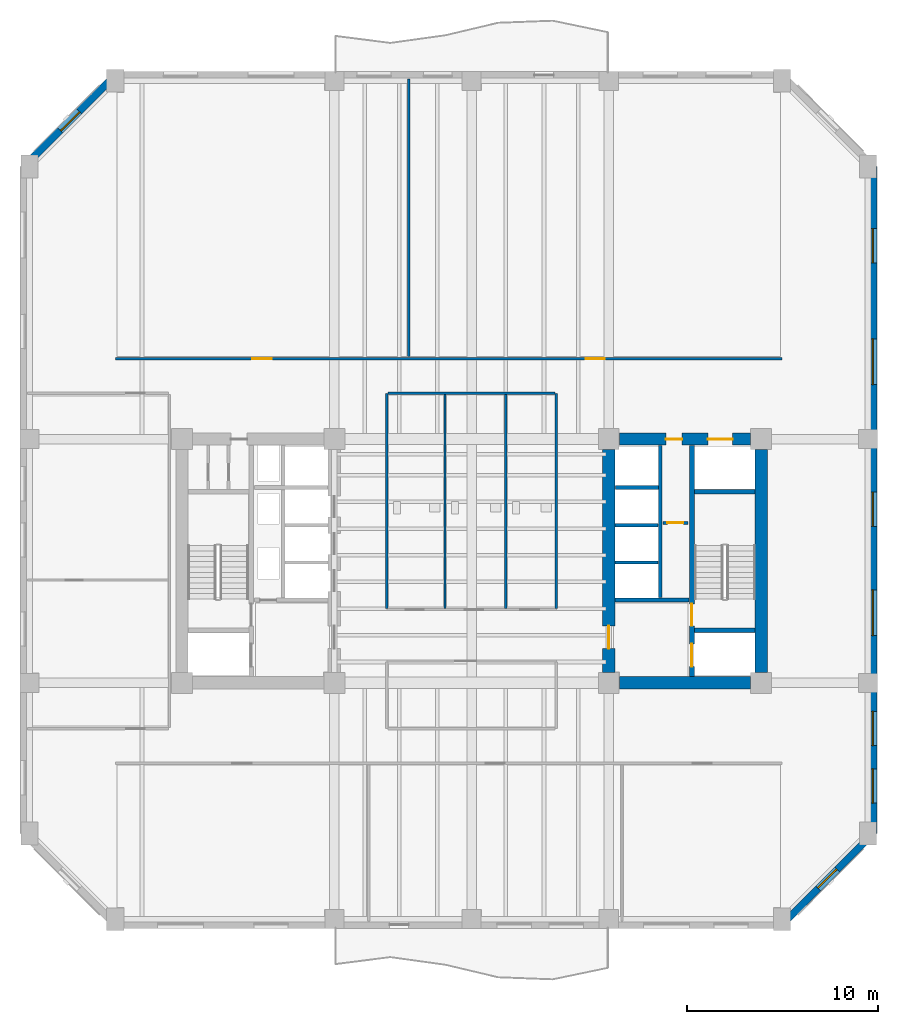
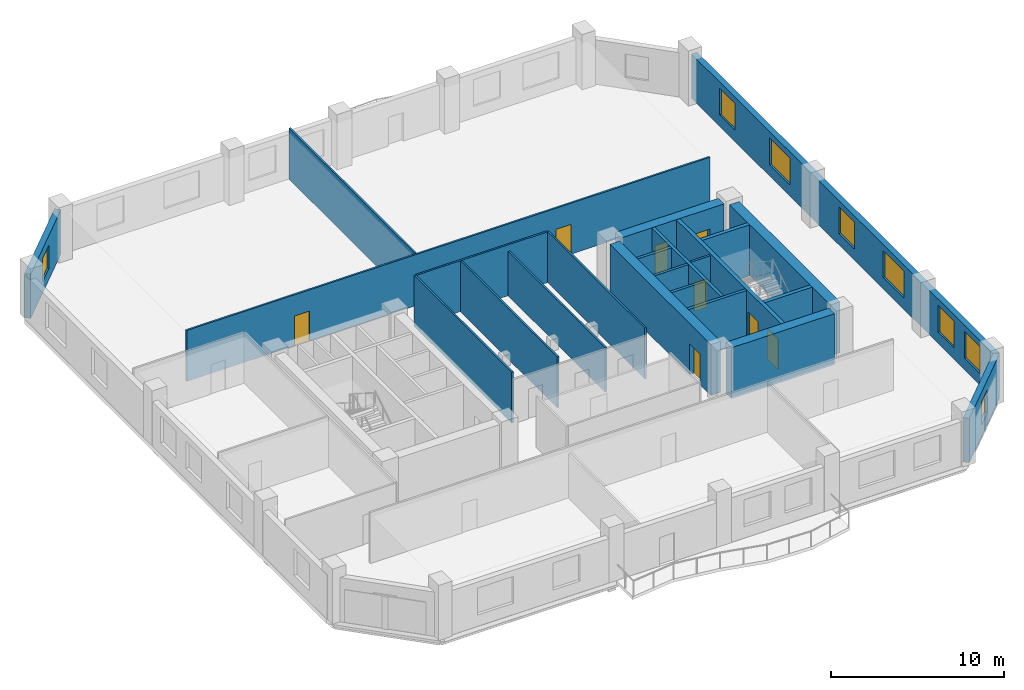
# One storey, part 4 of 10: 23 walls, 8 doors, 8 windows, 16 openings.
"""IFC4 building model written with IfcOpenShell, lengths in metres."""

from ifc_helpers import new_model, si_unit, direction, frame, frame_2d, origin, place, context, subcontext, project, spatial, rectangle, extrude, material, layer, layer_set, type_object, element, fill, save


model = new_model("IFC4")

# Units and contexts
model_context = context("Model", 3, precision=1e-05, world=origin(), true_north=direction((0.0, 1.0)))
body_context = subcontext(model_context, "Body", "Model", "MODEL_VIEW")
ifc_project = project(units=[si_unit("LENGTHUNIT", "METRE"), si_unit("AREAUNIT", "SQUARE_METRE"), si_unit("VOLUMEUNIT", "CUBIC_METRE"), si_unit("PLANEANGLEUNIT", "RADIAN"), si_unit("MASSUNIT", "GRAM", prefix="KILO")], contexts=[model_context])

# Site, building, storey
site_placement = place(None, origin())
site = spatial("IfcSite", under=ifc_project, at=site_placement, CompositionType="ELEMENT")
building_placement = place(site_placement, origin())
building = spatial("IfcBuilding", under=site, at=building_placement, Name="Kranthara Brick Stack", CompositionType="ELEMENT")
storey_placement = place(building_placement, frame((0.0, 0.0, 102.300048828125)))
storey = spatial("IfcBuildingStorey", under=building, at=storey_placement, Name="L25", CompositionType="ELEMENT", Elevation=102.300048828125)

# Wall, opening, window
ifc_material_1 = material(Name="Kiln-fired clay brick masonry M15", Category="masonry")
ifc_layer_1 = layer(ifc_material_1, 0.3798828125)
ifc_layer_set_1 = layer_set([ifc_layer_1], Name="Kiln-fired clay brick masonry M15")
wall_type_1 = type_object("IfcWallType", Name="WL-BRK-PIER-380", PredefinedType="STANDARD", material=ifc_layer_set_1)
wall_1_placement = place(storey_placement, frame((4.510009765625, 47.89990234375, 0.0), z_axis=(0.0, 0.0, 1.0), x_axis=(0.707106781187, 0.707106781187, 0.0)))
wall_1 = element("IfcWall", 1, at=wall_1_placement, inside=storey, type_object=wall_type_1, Name="L25 Exterior Brick Facade Wall NW 1", PredefinedType="STANDARD", context=body_context, shape_type="SweptSolid", body=[
    extrude(rectangle(XDim=6.774169921875, YDim=0.3798828125, at=frame_2d((3.38720703125, 0.0))), origin(), (0.0, 0.0, 1.0), 3.135009765625),
])
opening_1_placement = place(wall_1_placement, frame((2.68701171875, 0.0, 0.800048828125)))
opening_1 = element("IfcOpeningElement", 2, at=opening_1_placement, cuts=wall_1, Name="Opening WN10", PredefinedType="OPENING", context=body_context, shape_type="SweptSolid", body=[
    extrude(rectangle(XDim=1.39990234375, YDim=1.64990234375, at=frame_2d((0.699951171875, 0.824951171875))), frame((0.0, 0.199951171875, 0.0), z_axis=(0.0, -1.0, 0.0), x_axis=(1.0, 0.0, 0.0)), (0.0, 0.0, 1.0), 0.39990234375),
])
ifc_material_2 = material(Name="Double-glazed low-E solar control glass", Category="glass")
window_type_1 = type_object("IfcWindowType", Name="WN-CHM-1400x1750", PartitioningType="SINGLE_PANEL", PredefinedType="WINDOW", material=ifc_material_2)
window_1_placement = place(opening_1_placement, origin())
window_1 = element("IfcWindow", 3, at=window_1_placement, inside=storey, type_object=window_type_1, Name="L25 NW Chamfer Corner Window", OverallHeight=1.64990234375, OverallWidth=1.39990234375, PartitioningType="SINGLE_PANEL", PredefinedType="WINDOW", context=body_context, shape_type="SweptSolid", body=[
    extrude(rectangle(XDim=1.39990234375, YDim=1.64990234375, at=frame_2d((0.699951171875, 0.824951171875))), frame((0.0, -0.010009765625, 0.0), z_axis=(0.0, -1.0, 0.0), x_axis=(1.0, 0.0, 0.0)), (0.0, 0.0, 1.0), 0.06005859375),
])
fill(opening_1, window_1)

# Wall, openings, windows
wall_2_placement = place(storey_placement, frame((49.090087890625, 47.89990234375, 0.0), z_axis=(0.0, 0.0, 1.0), x_axis=(0.0, -1.0, 0.0)))
wall_2 = element("IfcWall", 4, at=wall_2_placement, inside=storey, type_object=wall_type_1, Name="L25 Exterior Brick Facade Wall EAST 1", PredefinedType="STANDARD", context=body_context, shape_type="SweptSolid", body=[
    extrude(rectangle(XDim=35.0, YDim=0.3798828125, at=frame_2d((17.5, 0.0))), origin(), (0.0, 0.0, 1.0), 3.135009765625),
])
opening_2_placement = place(wall_2_placement, frame((3.251953125, 0.0, 0.800048828125)))
opening_2 = element("IfcOpeningElement", 5, at=opening_2_placement, cuts=wall_2, Name="Opening WN01", PredefinedType="OPENING", context=body_context, shape_type="SweptSolid", body=[
    extrude(rectangle(XDim=1.800048828125, YDim=1.89990234375, at=frame_2d((0.89990234375, 0.949951171875))), frame((0.0, 0.199951171875, 0.0), z_axis=(0.0, -1.0, 0.0), x_axis=(1.0, 0.0, 0.0)), (0.0, 0.0, 1.0), 0.39990234375),
])
opening_3_placement = place(wall_2_placement, frame((9.048095703125, 0.0, 0.800048828125)))
opening_3 = element("IfcOpeningElement", 6, at=opening_3_placement, cuts=wall_2, Name="Opening WN02", PredefinedType="OPENING", context=body_context, shape_type="SweptSolid", body=[
    extrude(rectangle(XDim=2.39990234375, YDim=1.89990234375, at=frame_2d((1.199951171875, 0.949951171875))), frame((0.0, 0.199951171875, 0.0), z_axis=(0.0, -1.0, 0.0), x_axis=(1.0, 0.0, 0.0)), (0.0, 0.0, 1.0), 0.39990234375),
])
opening_4_placement = place(wall_2_placement, frame((17.087890625, 0.0, 0.800048828125)))
opening_4 = element("IfcOpeningElement", 7, at=opening_4_placement, cuts=wall_2, Name="Opening WN01", PredefinedType="OPENING", context=body_context, shape_type="SweptSolid", body=[
    extrude(rectangle(XDim=1.800048828125, YDim=1.89990234375, at=frame_2d((0.89990234375, 0.949951171875))), frame((0.0, 0.199951171875, 0.0), z_axis=(0.0, -1.0, 0.0), x_axis=(1.0, 0.0, 0.0)), (0.0, 0.0, 1.0), 0.39990234375),
])
opening_5_placement = place(wall_2_placement, frame((22.2119140625, 0.0, 0.800048828125)))
opening_5 = element("IfcOpeningElement", 8, at=opening_5_placement, cuts=wall_2, Name="Opening WN02", PredefinedType="OPENING", context=body_context, shape_type="SweptSolid", body=[
    extrude(rectangle(XDim=2.39990234375, YDim=1.89990234375, at=frame_2d((1.199951171875, 0.949951171875))), frame((0.0, 0.199951171875, 0.0), z_axis=(0.0, -1.0, 0.0), x_axis=(1.0, 0.0, 0.0)), (0.0, 0.0, 1.0), 0.39990234375),
])
opening_6_placement = place(wall_2_placement, frame((28.587890625, 0.0, 0.800048828125)))
opening_6 = element("IfcOpeningElement", 9, at=opening_6_placement, cuts=wall_2, Name="Opening WN01", PredefinedType="OPENING", context=body_context, shape_type="SweptSolid", body=[
    extrude(rectangle(XDim=1.800048828125, YDim=1.89990234375, at=frame_2d((0.89990234375, 0.949951171875))), frame((0.0, 0.199951171875, 0.0), z_axis=(0.0, -1.0, 0.0), x_axis=(1.0, 0.0, 0.0)), (0.0, 0.0, 1.0), 0.39990234375),
])
opening_7_placement = place(wall_2_placement, frame((31.612060546875, 0.0, 0.800048828125)))
opening_7 = element("IfcOpeningElement", 10, at=opening_7_placement, cuts=wall_2, Name="Opening WN01", PredefinedType="OPENING", context=body_context, shape_type="SweptSolid", body=[
    extrude(rectangle(XDim=1.800048828125, YDim=1.89990234375, at=frame_2d((0.89990234375, 0.949951171875))), frame((0.0, 0.199951171875, 0.0), z_axis=(0.0, -1.0, 0.0), x_axis=(1.0, 0.0, 0.0)), (0.0, 0.0, 1.0), 0.39990234375),
])
ifc_material_3 = material(Name="Double-glazed low-E solar control glass", Category="glass")
window_type_2 = type_object("IfcWindowType", Name="WN-OFF-1800x2000", PartitioningType="SINGLE_PANEL", PredefinedType="WINDOW", material=ifc_material_3)
window_2_placement = place(opening_2_placement, origin())
window_2 = element("IfcWindow", 11, at=window_2_placement, inside=storey, type_object=window_type_2, Name="L25 East Deep-Set Brick Window 01", OverallHeight=1.89990234375, OverallWidth=1.800048828125, PartitioningType="SINGLE_PANEL", PredefinedType="WINDOW", context=body_context, shape_type="SweptSolid", body=[
    extrude(rectangle(XDim=1.800048828125, YDim=1.89990234375, at=frame_2d((0.89990234375, 0.949951171875))), frame((0.0, -0.010009765625, 0.0), z_axis=(0.0, -1.0, 0.0), x_axis=(1.0, 0.0, 0.0)), (0.0, 0.0, 1.0), 0.06005859375),
])
fill(opening_2, window_2)
window_3_placement = place(opening_4_placement, origin())
window_3 = element("IfcWindow", 12, at=window_3_placement, inside=storey, type_object=window_type_2, Name="L25 East Deep-Set Brick Window 03", OverallHeight=1.89990234375, OverallWidth=1.800048828125, PartitioningType="SINGLE_PANEL", PredefinedType="WINDOW", context=body_context, shape_type="SweptSolid", body=[
    extrude(rectangle(XDim=1.800048828125, YDim=1.89990234375, at=frame_2d((0.89990234375, 0.949951171875))), frame((0.0, -0.010009765625, 0.0), z_axis=(0.0, -1.0, 0.0), x_axis=(1.0, 0.0, 0.0)), (0.0, 0.0, 1.0), 0.06005859375),
])
fill(opening_4, window_3)
window_4_placement = place(opening_6_placement, origin())
window_4 = element("IfcWindow", 13, at=window_4_placement, inside=storey, type_object=window_type_2, Name="L25 East Deep-Set Brick Window 05", OverallHeight=1.89990234375, OverallWidth=1.800048828125, PartitioningType="SINGLE_PANEL", PredefinedType="WINDOW", context=body_context, shape_type="SweptSolid", body=[
    extrude(rectangle(XDim=1.800048828125, YDim=1.89990234375, at=frame_2d((0.89990234375, 0.949951171875))), frame((0.0, -0.010009765625, 0.0), z_axis=(0.0, -1.0, 0.0), x_axis=(1.0, 0.0, 0.0)), (0.0, 0.0, 1.0), 0.06005859375),
])
fill(opening_6, window_4)
window_5_placement = place(opening_7_placement, origin())
window_5 = element("IfcWindow", 14, at=window_5_placement, inside=storey, type_object=window_type_2, Name="L25 East Deep-Set Brick Window 06", OverallHeight=1.89990234375, OverallWidth=1.800048828125, PartitioningType="SINGLE_PANEL", PredefinedType="WINDOW", context=body_context, shape_type="SweptSolid", body=[
    extrude(rectangle(XDim=1.800048828125, YDim=1.89990234375, at=frame_2d((0.89990234375, 0.949951171875))), frame((0.0, -0.010009765625, 0.0), z_axis=(0.0, -1.0, 0.0), x_axis=(1.0, 0.0, 0.0)), (0.0, 0.0, 1.0), 0.06005859375),
])
fill(opening_7, window_5)
ifc_material_4 = material(Name="Double-glazed low-E solar control glass", Category="glass")
window_type_3 = type_object("IfcWindowType", Name="WN-OFF-2400x2000", PartitioningType="DOUBLE_PANEL_VERTICAL", PredefinedType="WINDOW", material=ifc_material_4)
window_6_placement = place(opening_3_placement, origin())
window_6 = element("IfcWindow", 15, at=window_6_placement, inside=storey, type_object=window_type_3, Name="L25 East Deep-Set Brick Window 02", OverallHeight=1.89990234375, OverallWidth=2.39990234375, PartitioningType="SINGLE_PANEL", PredefinedType="WINDOW", context=body_context, shape_type="SweptSolid", body=[
    extrude(rectangle(XDim=2.39990234375, YDim=1.89990234375, at=frame_2d((1.199951171875, 0.949951171875))), frame((0.0, -0.010009765625, 0.0), z_axis=(0.0, -1.0, 0.0), x_axis=(1.0, 0.0, 0.0)), (0.0, 0.0, 1.0), 0.06005859375),
])
fill(opening_3, window_6)
window_7_placement = place(opening_5_placement, origin())
window_7 = element("IfcWindow", 16, at=window_7_placement, inside=storey, type_object=window_type_3, Name="L25 East Deep-Set Brick Window 04", OverallHeight=1.89990234375, OverallWidth=2.39990234375, PartitioningType="SINGLE_PANEL", PredefinedType="WINDOW", context=body_context, shape_type="SweptSolid", body=[
    extrude(rectangle(XDim=2.39990234375, YDim=1.89990234375, at=frame_2d((1.199951171875, 0.949951171875))), frame((0.0, -0.010009765625, 0.0), z_axis=(0.0, -1.0, 0.0), x_axis=(1.0, 0.0, 0.0)), (0.0, 0.0, 1.0), 0.06005859375),
])
fill(opening_5, window_7)

# Wall, opening, window
wall_3_placement = place(storey_placement, frame((49.090087890625, 12.89990234375, 0.0), z_axis=(0.0, 0.0, 1.0), x_axis=(-0.707124801467, -0.707088760447, 0.0)))
wall_3 = element("IfcWall", 17, at=wall_3_placement, inside=storey, type_object=wall_type_1, Name="L25 Exterior Brick Facade Wall SE 1", PredefinedType="STANDARD", context=body_context, shape_type="SweptSolid", body=[
    extrude(rectangle(XDim=6.77392578125, YDim=0.3798828125, at=frame_2d((3.386962890625, 0.0))), origin(), (0.0, 0.0, 1.0), 3.135009765625),
])
opening_8_placement = place(wall_3_placement, frame((2.68701171875, 0.0, 0.800048828125)))
opening_8 = element("IfcOpeningElement", 18, at=opening_8_placement, cuts=wall_3, Name="Opening WN10", PredefinedType="OPENING", context=body_context, shape_type="SweptSolid", body=[
    extrude(rectangle(XDim=1.39990234375, YDim=1.64990234375, at=frame_2d((0.699951171875, 0.824951171875))), frame((0.0, 0.199951171875, 0.0), z_axis=(0.0, -1.0, 0.0), x_axis=(1.0, 0.0, 0.0)), (0.0, 0.0, 1.0), 0.39990234375),
])
window_8_placement = place(opening_8_placement, origin())
window_8 = element("IfcWindow", 19, at=window_8_placement, inside=storey, type_object=window_type_1, Name="L25 SE Chamfer Corner Window", OverallHeight=1.64990234375, OverallWidth=1.39990234375, PartitioningType="SINGLE_PANEL", PredefinedType="WINDOW", context=body_context, shape_type="SweptSolid", body=[
    extrude(rectangle(XDim=1.39990234375, YDim=1.64990234375, at=frame_2d((0.699951171875, 0.824951171875))), frame((0.0, -0.010009765625, 0.0), z_axis=(0.0, -1.0, 0.0), x_axis=(1.0, 0.0, 0.0)), (0.0, 0.0, 1.0), 0.06005859375),
])
fill(opening_8, window_8)

# Wall, openings, doors
ifc_material_5 = material(Name="Concrete C50/60", Category="concrete")
ifc_layer_2 = layer(ifc_material_5, 0.25)
ifc_layer_set_2 = layer_set([ifc_layer_2], Name="Concrete C50/60")
wall_type_2 = type_object("IfcWallType", Name="WL-CORE-250", PredefinedType="SHEAR", material=ifc_layer_set_2)
wall_4_placement = place(storey_placement, frame((39.56494140625, 21.135009765625, 0.0), z_axis=(0.0, 0.0, 1.0), x_axis=(0.0, 1.0, 0.0)))
wall_4 = element("IfcWall", 20, at=wall_4_placement, inside=storey, type_object=wall_type_2, Name="L25 East Core Stair Bearing Spine Wall", PredefinedType="SHEAR", context=body_context, shape_type="SweptSolid", body=[
    extrude(rectangle(XDim=12.1298828125, YDim=0.25, at=frame_2d((6.06494140625, 0.0))), origin(), (0.0, 0.0, 1.0), 3.599853515625),
])
opening_9_placement = place(wall_4_placement, frame((0.514892578125, 0.0, 0.0)))
opening_9 = element("IfcOpeningElement", 21, at=opening_9_placement, cuts=wall_4, Name="Opening LD01", PredefinedType="OPENING", context=body_context, shape_type="SweptSolid", body=[
    extrude(rectangle(XDim=1.199951171875, YDim=2.14990234375, at=frame_2d((0.60009765625, 1.074951171875))), frame((0.0, 0.135009765625, 0.0), z_axis=(0.0, -1.0, 0.0), x_axis=(1.0, 0.0, 0.0)), (0.0, 0.0, 1.0), 0.27001953125),
])
opening_10_placement = place(wall_4_placement, frame((2.6650390625, 0.0, 0.0)))
opening_10 = element("IfcOpeningElement", 22, at=opening_10_placement, cuts=wall_4, Name="Opening D05", PredefinedType="OPENING", context=body_context, shape_type="SweptSolid", body=[
    extrude(rectangle(XDim=1.14990234375, YDim=2.14990234375, at=frame_2d((0.574951171875, 1.074951171875))), frame((0.0, 0.135009765625, 0.0), z_axis=(0.0, -1.0, 0.0), x_axis=(1.0, 0.0, 0.0)), (0.0, 0.0, 1.0), 0.27001953125),
])
ifc_material_6 = material(Name="Stainless steel sliding landing door", Category="steel")
door_type_1 = type_object("IfcDoorType", Name="DR-LD-FF1200", OperationType="DOUBLE_DOOR_SLIDING", PredefinedType="DOOR", material=ifc_material_6)
door_1_placement = place(opening_9_placement, origin())
door_1 = element("IfcDoor", 23, at=door_1_placement, inside=storey, type_object=door_type_1, Name="L25 Firefighting Lift FF-02 Landing Door", OperationType="DOUBLE_DOOR_SLIDING", OverallHeight=2.14990234375, OverallWidth=1.199951171875, PredefinedType="DOOR", context=body_context, shape_type="SweptSolid", body=[
    extrude(rectangle(XDim=1.199951171875, YDim=2.14990234375, at=frame_2d((0.60009765625, 1.074951171875))), frame((0.0, 0.02490234375, 0.0), z_axis=(0.0, -1.0, 0.0), x_axis=(1.0, 0.0, 0.0)), (0.0, 0.0, 1.0), 0.050048828125),
])
fill(opening_9, door_1)
ifc_material_7 = material(Name="Solid-core hardwood timber leaf in steel frame", Category="steel")
door_type_2 = type_object("IfcDoorType", Name="DR-ST-1150", OperationType="NOTDEFINED", PredefinedType="DOOR", material=ifc_material_7)
door_2_placement = place(opening_10_placement, origin())
door_2 = element("IfcDoor", 24, at=door_2_placement, inside=storey, type_object=door_type_2, Name="L25 Exit Stair ST02 Door", OperationType="SINGLE_SWING_LEFT", OverallHeight=2.14990234375, OverallWidth=1.14990234375, PredefinedType="DOOR", context=body_context, shape_type="SweptSolid", body=[
    extrude(rectangle(XDim=1.14990234375, YDim=2.14990234375, at=frame_2d((0.574951171875, 1.074951171875))), frame((0.0, 0.02490234375, 0.0), z_axis=(0.0, -1.0, 0.0), x_axis=(1.0, 0.0, 0.0)), (0.0, 0.0, 1.0), 0.050048828125),
])
fill(opening_10, door_2)

# Walls
for number, where, z_axis, x_axis, name in (
    (25, (39.68994140625, 23.570068359375, 0.0), (0.0, 0.0, 1.0), (1.0, 0.0, 0.0), "L25 East Stairwell Bearing Wall EFF"),
    (26, (39.68994140625, 30.830078125, 0.0), (0.0, 0.0, 1.0), (1.0, 0.0, 0.0), "L25 East Stairwell Bearing Wall EST"),
):
    element("IfcWall", number, at=place(storey_placement, frame(where, z_axis=z_axis, x_axis=x_axis)), inside=storey, type_object=wall_type_2, Name=name, PredefinedType="SHEAR", context=body_context, shape_type="SweptSolid", body=[
        extrude(rectangle(XDim=3.175048828125, YDim=0.25, at=frame_2d((1.58740234375, 0.0))), origin(), (0.0, 0.0, 1.0), 3.599853515625),
    ])
ifc_material_8 = material(Name="Concrete C60/75", Category="concrete")
ifc_layer_3 = layer(ifc_material_8, 0.64990234375)
ifc_layer_set_3 = layer_set([ifc_layer_3], Name="Concrete C60/75")
wall_type_3 = type_object("IfcWallType", Name="WL-CORE-650", PredefinedType="SHEAR", material=ifc_layer_set_3)
wall_5_placement = place(storey_placement, frame((43.199951171875, 21.35498046875, 0.0), z_axis=(0.0, 0.0, 1.0), x_axis=(0.0, 1.0, 0.0)))
element("IfcWall", 27, at=wall_5_placement, inside=storey, type_object=wall_type_3, Name="L25 East Core Shear Wall East", PredefinedType="SHEAR", context=body_context, shape_type="SweptSolid", body=[
    extrude(rectangle(XDim=11.68994140625, YDim=0.64990234375, at=frame_2d((5.844970703125, 0.0))), origin(), (0.0, 0.0, 1.0), 3.599853515625),
])
wall_6_placement = place(storey_placement, frame((35.7548828125, 20.800048828125, 0.0), z_axis=(0.0, 0.0, 1.0), x_axis=(1.0, 0.0, 0.0)))
element("IfcWall", 28, at=wall_6_placement, inside=storey, type_object=wall_type_3, Name="L25 East Core Shear Wall South", PredefinedType="SHEAR", context=body_context, shape_type="SweptSolid", body=[
    extrude(rectangle(XDim=6.89013671875, YDim=0.64990234375, at=frame_2d((3.445068359375, 0.0))), origin(), (0.0, 0.0, 1.0), 3.599853515625),
])

# Wall, openings, doors
wall_7_placement = place(storey_placement, frame((35.7548828125, 33.60009765625, 0.0), z_axis=(0.0, 0.0, 1.0), x_axis=(1.0, 0.0, 0.0)))
wall_7 = element("IfcWall", 29, at=wall_7_placement, inside=storey, type_object=wall_type_3, Name="L25 East Core Shear Wall North", PredefinedType="SHEAR", context=body_context, shape_type="SweptSolid", body=[
    extrude(rectangle(XDim=6.89013671875, YDim=0.64990234375, at=frame_2d((3.445068359375, 0.0))), origin(), (0.0, 0.0, 1.0), 3.599853515625),
])
opening_11_placement = place(wall_7_placement, frame((4.64501953125, 0.0, 0.0)))
opening_11 = element("IfcOpeningElement", 30, at=opening_11_placement, cuts=wall_7, Name="Opening LD03", PredefinedType="OPENING", context=body_context, shape_type="SweptSolid", body=[
    extrude(rectangle(XDim=1.300048828125, YDim=2.14990234375, at=frame_2d((0.64990234375, 1.074951171875))), frame((0.0, 0.3349609375, 0.0), z_axis=(0.0, -1.0, 0.0), x_axis=(1.0, 0.0, 0.0)), (0.0, 0.0, 1.0), 0.669921875),
])
opening_12_placement = place(wall_7_placement, frame((2.445068359375, 0.0, 0.0)))
opening_12 = element("IfcOpeningElement", 31, at=opening_12_placement, cuts=wall_7, Name="Opening D10", PredefinedType="OPENING", context=body_context, shape_type="SweptSolid", body=[
    extrude(rectangle(XDim=0.85009765625, YDim=2.02001953125, at=frame_2d((0.425048828125, 1.010009765625))), frame((0.0, 0.3349609375, 0.0), z_axis=(0.0, -1.0, 0.0), x_axis=(1.0, 0.0, 0.0)), (0.0, 0.0, 1.0), 0.669921875),
])
ifc_material_9 = material(Name="Stainless steel sliding landing door", Category="steel")
door_type_3 = type_object("IfcDoorType", Name="DR-LD-SV1300", OperationType="DOUBLE_DOOR_SLIDING", PredefinedType="DOOR", material=ifc_material_9)
door_3_placement = place(opening_11_placement, origin())
door_3 = element("IfcDoor", 32, at=door_3_placement, inside=storey, type_object=door_type_3, Name="L25 Stretcher Service Lift SV-01 Landing Door", OperationType="DOUBLE_DOOR_SLIDING", OverallHeight=2.14990234375, OverallWidth=1.300048828125, PredefinedType="DOOR", context=body_context, shape_type="SweptSolid", body=[
    extrude(rectangle(XDim=1.300048828125, YDim=2.14990234375, at=frame_2d((0.64990234375, 1.074951171875))), frame((0.0, 0.02490234375, 0.0), z_axis=(0.0, -1.0, 0.0), x_axis=(1.0, 0.0, 0.0)), (0.0, 0.0, 1.0), 0.050048828125),
])
fill(opening_11, door_3)
ifc_material_10 = material(Name="Solid-core hardwood timber leaf in steel frame", Category="steel")
door_type_4 = type_object("IfcDoorType", Name="DR-RSR-850", OperationType="NOTDEFINED", PredefinedType="DOOR", material=ifc_material_10)
door_4_placement = place(opening_12_placement, origin())
door_4 = element("IfcDoor", 33, at=door_4_placement, inside=storey, type_object=door_type_4, Name="L25 East Core Service Room Door", OperationType="SINGLE_SWING_LEFT", OverallHeight=2.02001953125, OverallWidth=0.85009765625, PredefinedType="DOOR", context=body_context, shape_type="SweptSolid", body=[
    extrude(rectangle(XDim=0.85009765625, YDim=2.02001953125, at=frame_2d((0.425048828125, 1.010009765625))), frame((0.0, 0.02490234375, 0.0), z_axis=(0.0, -1.0, 0.0), x_axis=(1.0, 0.0, 0.0)), (0.0, 0.0, 1.0), 0.050048828125),
])
fill(opening_12, door_4)

# Wall, opening, door
wall_8_placement = place(storey_placement, frame((35.199951171875, 21.35498046875, 0.0), z_axis=(0.0, 0.0, 1.0), x_axis=(0.0, 1.0, 0.0)))
wall_8 = element("IfcWall", 34, at=wall_8_placement, inside=storey, type_object=wall_type_3, Name="L25 East Core Shear Wall West", PredefinedType="SHEAR", context=body_context, shape_type="SweptSolid", body=[
    extrude(rectangle(XDim=11.68994140625, YDim=0.64990234375, at=frame_2d((5.844970703125, 0.0))), origin(), (0.0, 0.0, 1.0), 3.599853515625),
])
opening_13_placement = place(wall_8_placement, frame((1.2451171875, 0.0, 0.0)))
opening_13 = element("IfcOpeningElement", 35, at=opening_13_placement, cuts=wall_8, Name="Opening D06", PredefinedType="OPENING", context=body_context, shape_type="SweptSolid", body=[
    extrude(rectangle(XDim=1.199951171875, YDim=2.14990234375, at=frame_2d((0.60009765625, 1.074951171875))), frame((0.0, 0.3349609375, 0.0), z_axis=(0.0, -1.0, 0.0), x_axis=(1.0, 0.0, 0.0)), (0.0, 0.0, 1.0), 0.669921875),
])
ifc_material_11 = material(Name="Solid-core hardwood timber leaf in steel frame", Category="steel")
door_type_5 = type_object("IfcDoorType", Name="DR-FFL-1200", OperationType="NOTDEFINED", PredefinedType="DOOR", material=ifc_material_11)
door_5_placement = place(opening_13_placement, origin())
door_5 = element("IfcDoor", 36, at=door_5_placement, inside=storey, type_object=door_type_5, Name="L25 East Firefighting Lobby Door", OperationType="SINGLE_SWING_RIGHT", OverallHeight=2.14990234375, OverallWidth=1.199951171875, PredefinedType="DOOR", context=body_context, shape_type="SweptSolid", body=[
    extrude(rectangle(XDim=1.199951171875, YDim=2.14990234375, at=frame_2d((0.60009765625, 1.074951171875))), frame((0.0, 0.02490234375, 0.0), z_axis=(0.0, -1.0, 0.0), x_axis=(1.0, 0.0, 0.0)), (0.0, 0.0, 1.0), 0.050048828125),
])
fill(opening_13, door_5)

# Walls
ifc_material_12 = material(Name="Acoustic gypsum plasterboard partition", Category="other")
ifc_layer_4 = layer(ifc_material_12, 0.1201171875)
ifc_layer_set_4 = layer_set([ifc_layer_4], Name="Acoustic gypsum plasterboard partition")
wall_type_4 = type_object("IfcWallType", Name="WL-PART-120", PredefinedType="PARTITIONING", material=ifc_layer_set_4)
for number, where, z_axis, x_axis, name in (
    (37, (23.550048828125, 24.715087890625, 0.0), (0.0, 0.0, 1.0), (0.0, 1.0, 0.0), "L25 Interior Partition 005"),
    (38, (32.449951171875, 24.715087890625, 0.0), (0.0, 0.0, 1.0), (0.0, 1.0, 0.0), "L25 Interior Partition 006"),
    (39, (26.60009765625, 24.715087890625, 0.0), (0.0, 0.0, 1.0), (0.0, 1.0, 0.0), "L25 Interior Partition 007"),
):
    element("IfcWall", number, at=place(storey_placement, frame(where, z_axis=z_axis, x_axis=x_axis)), inside=storey, type_object=wall_type_4, Name=name, PredefinedType="PARTITIONING", context=body_context, shape_type="SweptSolid", body=[
        extrude(rectangle(XDim=11.284912109375, YDim=0.1201171875, at=frame_2d((5.642578125, 0.0))), origin(), (0.0, 0.0, 1.0), 3.599853515625),
    ])
wall_9_placement = place(storey_placement, frame((29.800048828125, 24.715087890625, 0.0), z_axis=(0.0, 0.0, 1.0), x_axis=(0.0, 1.0, 0.0)))
element("IfcWall", 40, at=wall_9_placement, inside=storey, type_object=wall_type_4, Name="L25 Interior Partition 008", PredefinedType="PARTITIONING", context=body_context, shape_type="SweptSolid", body=[
    extrude(rectangle(XDim=11.284912109375, YDim=0.1201171875, at=frame_2d((5.642578125, 0.0))), origin(), (0.0, 0.0, 1.0), 3.135009765625),
])
wall_10_placement = place(storey_placement, frame((23.614990234375, 36.0, 0.0), z_axis=(0.0, 0.0, 1.0), x_axis=(1.0, 0.0, 0.0)))
element("IfcWall", 41, at=wall_10_placement, inside=storey, type_object=wall_type_4, Name="L25 Interior Partition 009", PredefinedType="PARTITIONING", context=body_context, shape_type="SweptSolid", body=[
    extrude(rectangle(XDim=8.77001953125, YDim=0.1201171875, at=frame_2d((4.385009765625, 0.0))), origin(), (0.0, 0.0, 1.0), 3.599853515625),
])

# Wall, openings, doors
wall_11_placement = place(storey_placement, frame((9.300048828125, 37.820068359375, 0.0), z_axis=(0.0, 0.0, 1.0), x_axis=(1.0, 0.0, 0.0)))
wall_11 = element("IfcWall", 42, at=wall_11_placement, inside=storey, type_object=wall_type_4, Name="L25 Interior Partition 017", PredefinedType="PARTITIONING", context=body_context, shape_type="SweptSolid", body=[
    extrude(rectangle(XDim=35.0, YDim=0.1201171875, at=frame_2d((17.5, 0.0))), origin(), (0.0, 0.0, 1.0), 3.599853515625),
])
opening_14_placement = place(wall_11_placement, frame((7.199951171875, 0.0, 0.0)))
opening_14 = element("IfcOpeningElement", 43, at=opening_14_placement, cuts=wall_11, Name="Opening D13", PredefinedType="OPENING", context=body_context, shape_type="SweptSolid", body=[
    extrude(rectangle(XDim=1.0, YDim=2.10009765625, at=frame_2d((0.5, 1.050048828125))), frame((0.0, 0.070068359375, 0.0), z_axis=(0.0, -1.0, 0.0), x_axis=(1.0, 0.0, 0.0)), (0.0, 0.0, 1.0), 0.14013671875),
])
opening_15_placement = place(wall_11_placement, frame((24.699951171875, 0.0, 0.0)))
opening_15 = element("IfcOpeningElement", 44, at=opening_15_placement, cuts=wall_11, Name="Opening D13", PredefinedType="OPENING", context=body_context, shape_type="SweptSolid", body=[
    extrude(rectangle(XDim=1.0, YDim=2.10009765625, at=frame_2d((0.5, 1.050048828125))), frame((0.0, 0.070068359375, 0.0), z_axis=(0.0, -1.0, 0.0), x_axis=(1.0, 0.0, 0.0)), (0.0, 0.0, 1.0), 0.14013671875),
])
ifc_material_13 = material(Name="Solid-core hardwood timber leaf in steel frame", Category="steel")
door_type_6 = type_object("IfcDoorType", Name="DR-INT-1000", OperationType="NOTDEFINED", PredefinedType="DOOR", material=ifc_material_13)
door_6_placement = place(opening_14_placement, origin())
door_6 = element("IfcDoor", 45, at=door_6_placement, inside=storey, type_object=door_type_6, Name="L25 Open Plan Workspace 11", OperationType="SINGLE_SWING_LEFT", OverallHeight=2.10009765625, OverallWidth=1.0, PredefinedType="DOOR", context=body_context, shape_type="SweptSolid", body=[
    extrude(rectangle(XDim=1.0, YDim=2.10009765625, at=frame_2d((0.5, 1.050048828125))), frame((0.0, 0.02490234375, 0.0), z_axis=(0.0, -1.0, 0.0), x_axis=(1.0, 0.0, 0.0)), (0.0, 0.0, 1.0), 0.050048828125),
])
fill(opening_14, door_6)
door_7_placement = place(opening_15_placement, origin())
door_7 = element("IfcDoor", 46, at=door_7_placement, inside=storey, type_object=door_type_6, Name="L25 Staff Pantry 12", OperationType="SINGLE_SWING_RIGHT", OverallHeight=2.10009765625, OverallWidth=1.0, PredefinedType="DOOR", context=body_context, shape_type="SweptSolid", body=[
    extrude(rectangle(XDim=1.0, YDim=2.10009765625, at=frame_2d((0.5, 1.050048828125))), frame((0.0, 0.02490234375, 0.0), z_axis=(0.0, -1.0, 0.0), x_axis=(1.0, 0.0, 0.0)), (0.0, 0.0, 1.0), 0.050048828125),
])
fill(opening_15, door_7)

# Wall
wall_12_placement = place(storey_placement, frame((24.699951171875, 37.919921875, 0.0), z_axis=(0.0, 0.0, 1.0), x_axis=(0.0, 1.0, 0.0)))
element("IfcWall", 47, at=wall_12_placement, inside=storey, type_object=wall_type_4, Name="L25 Interior Partition 018", PredefinedType="PARTITIONING", context=body_context, shape_type="SweptSolid", body=[
    extrude(rectangle(XDim=14.5751953125, YDim=0.1201171875, at=frame_2d((7.28759765625, 0.0))), origin(), (0.0, 0.0, 1.0), 3.599853515625),
])

# Wall, opening, door
ifc_material_14 = material(Name="Fire-rated gypsum board partition", Category="other")
ifc_layer_5 = layer(ifc_material_14, 0.14990234375)
ifc_layer_set_5 = layer_set([ifc_layer_5], Name="Fire-rated gypsum board partition")
wall_type_5 = type_object("IfcWallType", Name="WL-PART-150", PredefinedType="PARTITIONING", material=ifc_layer_set_5)
wall_13_placement = place(storey_placement, frame((38.050048828125, 29.199951171875, 0.0), z_axis=(0.0, 0.0, 1.0), x_axis=(1.0, 0.0, 0.0)))
wall_13 = element("IfcWall", 48, at=wall_13_placement, inside=storey, type_object=wall_type_5, Name="L25 Interior Partition 003", PredefinedType="PARTITIONING", context=body_context, shape_type="SweptSolid", body=[
    extrude(rectangle(XDim=1.300048828125, YDim=0.14990234375, at=frame_2d((0.64990234375, 0.0))), origin(), (0.0, 0.0, 1.0), 3.599853515625),
])
opening_16_placement = place(wall_13_placement, frame((0.219970703125, 0.0, 0.0)))
opening_16 = element("IfcOpeningElement", 49, at=opening_16_placement, cuts=wall_13, Name="Opening D10", PredefinedType="OPENING", context=body_context, shape_type="SweptSolid", body=[
    extrude(rectangle(XDim=0.85009765625, YDim=2.02001953125, at=frame_2d((0.425048828125, 1.010009765625))), frame((0.0, 0.0849609375, 0.0), z_axis=(0.0, -1.0, 0.0), x_axis=(1.0, 0.0, 0.0)), (0.0, 0.0, 1.0), 0.169921875),
])
door_8_placement = place(opening_16_placement, origin())
door_8 = element("IfcDoor", 50, at=door_8_placement, inside=storey, type_object=door_type_4, Name="L25 East Service Door 03", OperationType="SINGLE_SWING_LEFT", OverallHeight=2.02001953125, OverallWidth=0.85009765625, PredefinedType="DOOR", context=body_context, shape_type="SweptSolid", body=[
    extrude(rectangle(XDim=0.85009765625, YDim=2.02001953125, at=frame_2d((0.425048828125, 1.010009765625))), frame((0.0, 0.02490234375, 0.0), z_axis=(0.0, -1.0, 0.0), x_axis=(1.0, 0.0, 0.0)), (0.0, 0.0, 1.0), 0.050048828125),
])
fill(opening_16, door_8)

# Walls
ifc_material_15 = material(Name="Gypsum plasterboard on acoustic twin stud", Category="other")
ifc_layer_6 = layer(ifc_material_15, 0.179931640625)
ifc_layer_set_6 = layer_set([ifc_layer_6], Name="Gypsum plasterboard on acoustic twin stud")
wall_type_6 = type_object("IfcWallType", Name="WL-PART-180", PredefinedType="PARTITIONING", material=ifc_layer_set_6)
for number, where, z_axis, x_axis, name in (
    (51, (35.534912109375, 27.1201171875, 0.0), (0.0, 0.0, 1.0), (1.0, 0.0, 0.0), "L25 East Hoistway Wall EH1"),
    (52, (35.534912109375, 29.080078125, 0.0), (0.0, 0.0, 1.0), (1.0, 0.0, 0.0), "L25 East Hoistway Wall EH2"),
):
    element("IfcWall", number, at=place(storey_placement, frame(where, z_axis=z_axis, x_axis=x_axis)), inside=storey, type_object=wall_type_6, Name=name, PredefinedType="PARTITIONING", context=body_context, shape_type="SweptSolid", body=[
        extrude(rectangle(XDim=2.2451171875, YDim=0.179931640625, at=frame_2d((1.12255859375, 0.0))), origin(), (0.0, 0.0, 1.0), 3.599853515625),
    ])
ifc_material_16 = material(Name="Concrete C40/50", Category="concrete")
ifc_layer_7 = layer(ifc_material_16, 0.199951171875)
ifc_layer_set_7 = layer_set([ifc_layer_7], Name="Concrete C40/50")
wall_type_7 = type_object("IfcWallType", Name="WL-PART-200", PredefinedType="SOLIDWALL", material=ifc_layer_set_7)
wall_14_placement = place(storey_placement, frame((35.534912109375, 25.14990234375, 0.0), z_axis=(0.0, 0.0, 1.0), x_axis=(1.0, 0.0, 0.0)))
element("IfcWall", 53, at=wall_14_placement, inside=storey, type_object=wall_type_7, Name="L25 East Core Cross Wall EFL", PredefinedType="SOLIDWALL", context=body_context, shape_type="SweptSolid", body=[
    extrude(rectangle(XDim=3.864990234375, YDim=0.199951171875, at=frame_2d((1.9326171875, 0.0))), origin(), (0.0, 0.0, 1.0), 3.599853515625),
])
wall_15_placement = place(storey_placement, frame((35.550048828125, 31.050048828125, 0.0), z_axis=(0.0, 0.0, 1.0), x_axis=(1.0, 0.0, 0.0)))
element("IfcWall", 54, at=wall_15_placement, inside=storey, type_object=wall_type_7, Name="L25 East Core Cross Wall EE4", PredefinedType="SOLIDWALL", context=body_context, shape_type="SweptSolid", body=[
    extrude(rectangle(XDim=2.25, YDim=0.199951171875, at=frame_2d((1.125, 0.0))), origin(), (0.0, 0.0, 1.0), 3.599853515625),
])
wall_16_placement = place(storey_placement, frame((37.89990234375, 25.27001953125, 0.0), z_axis=(0.0, 0.0, 1.0), x_axis=(0.0, 1.0, 0.0)))
element("IfcWall", 55, at=wall_16_placement, inside=storey, type_object=wall_type_7, Name="L25 East Core Cross Wall ESV", PredefinedType="SOLIDWALL", context=body_context, shape_type="SweptSolid", body=[
    extrude(rectangle(XDim=7.994873046875, YDim=0.199951171875, at=frame_2d((3.99755859375, 0.0))), origin(), (0.0, 0.0, 1.0), 3.599853515625),
])

save(model, "model.ifc")
